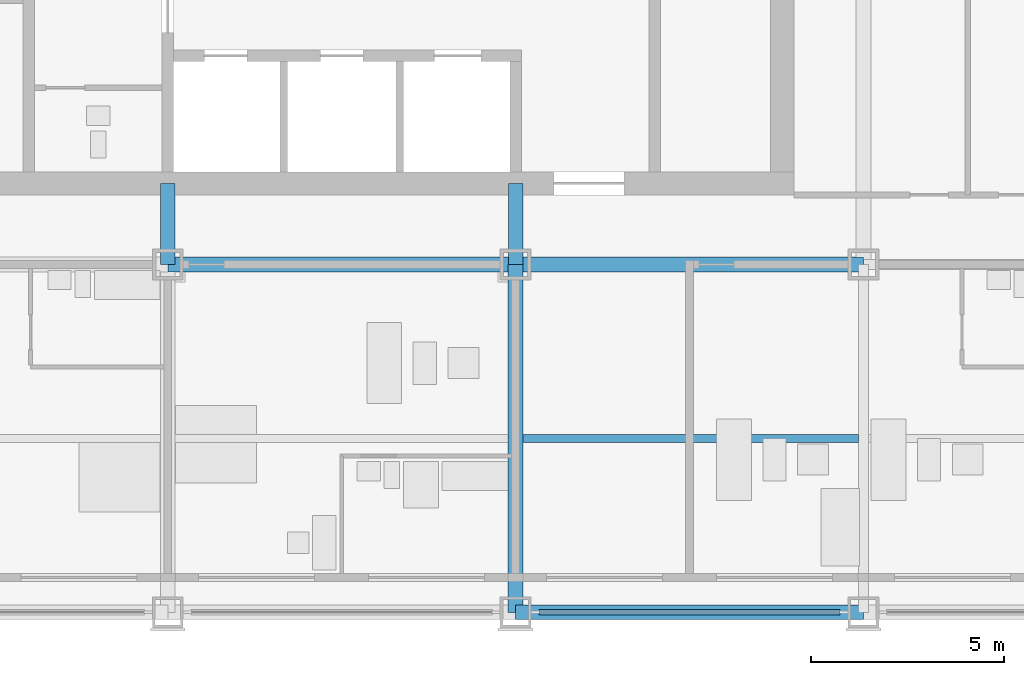
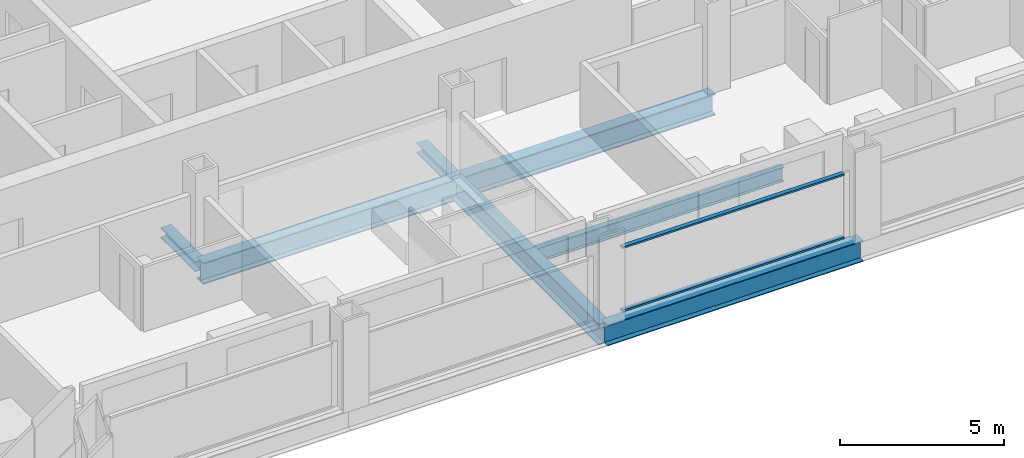
# One storey, part 3 of 18: 5 beams, 4 members, 1 element without a shape of its own.
"""IFC4 building model written with IfcOpenShell, lengths in metres."""

from ifc_helpers import new_model, si_unit, direction, frame, origin, origin_2d, place, context, subcontext, project, spatial, rectangle, i_section, extrude, material, material_profile, profile_set, type_object, element, aggregate, save


model = new_model("IFC4")

# Units and contexts
model_context = context("Model", 3, precision=1e-05, world=origin(), true_north=direction((0.0, 1.0)))
body_context = subcontext(model_context, "Body", "Model", "MODEL_VIEW")
ifc_project = project(units=[si_unit("LENGTHUNIT", "METRE"), si_unit("AREAUNIT", "SQUARE_METRE"), si_unit("VOLUMEUNIT", "CUBIC_METRE"), si_unit("PLANEANGLEUNIT", "RADIAN"), si_unit("MASSUNIT", "GRAM", prefix="KILO")], contexts=[model_context])

# Site, building, storey
site_placement = place(None, origin())
site = spatial("IfcSite", under=ifc_project, at=site_placement, CompositionType="ELEMENT")
building_placement = place(site_placement, origin())
building = spatial("IfcBuilding", under=site, at=building_placement, Name="Loomwork Tower", CompositionType="ELEMENT")
storey_placement = place(building_placement, frame((0.0, 0.0, 79.0)))
storey = spatial("IfcBuildingStorey", under=building, at=storey_placement, Name="L20", CompositionType="ELEMENT", Elevation=79.0)

# Beams
ifc_material_1 = material(Name="Steel ASTM A992", Category="steel")
ifc_material_profile_1 = material_profile(ifc_material_1, i_section(OverallWidth=0.383544921875, OverallDepth=0.794921875, WebThickness=0.02099609375, FlangeThickness=0.0380859375, at=origin_2d()), Name="W30x235")
ifc_profile_set_1 = profile_set([ifc_material_profile_1], Name="Steel ASTM A992")
beam_type_1 = type_object("IfcBeamType", Name="CORE FLANK GIRDER W30x235", PredefinedType="BEAM", material=ifc_profile_set_1)
for number, where, z_axis, x_axis, name in (
    (1, (18.0, 9.0, -0.597412109375), (1.0, 0.0, 0.0), (0.0, 1.0, 0.0), "Core Flank Girder E/4-E/5 L20"),
    (2, (27.0, 9.0, -0.597412109375), (1.0, 0.0, 0.0), (0.0, 1.0, 0.0), "Core Flank Girder E/5-E/6 L20"),
    (3, (27.0, 0.0, -0.597412109375), (0.0, 1.0, 0.0), (-1.0, 0.0, 0.0), "Core Flank Girder D/5-E/5 L20"),
):
    element("IfcBeam", number, at=place(storey_placement, frame(where, z_axis=z_axis, x_axis=x_axis)), inside=storey, type_object=beam_type_1, Name=name, PredefinedType="BEAM", context=body_context, shape_type="SweptSolid", body=[
        extrude(i_section(OverallWidth=0.383544921875, OverallDepth=0.794921875, WebThickness=0.02099609375, FlangeThickness=0.0380859375, at=origin_2d()), origin(), (0.0, 0.0, 1.0), 9.0),
    ])

# Members
ifc_material_2 = material(Name="Steel ASTM A992", Category="steel")
ifc_material_profile_2 = material_profile(ifc_material_2, i_section(OverallWidth=0.373291015625, OverallDepth=0.373291015625, WebThickness=0.016357421875, FlangeThickness=0.026123046875, at=origin_2d()), Name="W14x132")
ifc_profile_set_2 = profile_set([ifc_material_profile_2], Name="Steel ASTM A992")
member_type_1 = type_object("IfcMemberType", Name="CORE LINK STRUT W14x132", PredefinedType="STRUT", material=ifc_profile_set_2)
for number, where, z_axis, x_axis, name in (
    (4, (27.0, 9.0, -0.38671875), (0.0, 1.0, 0.0), (-1.0, 0.0, 0.0), "Core link strut E/5-27.000,11.100 L20"),
    (5, (18.0, 9.0, -0.38671875), (0.0, 1.0, 0.0), (-1.0, 0.0, 0.0), "Core link strut E/4-18.000,11.100 L20"),
):
    element("IfcMember", number, at=place(storey_placement, frame(where, z_axis=z_axis, x_axis=x_axis)), inside=storey, type_object=member_type_1, Name=name, PredefinedType="STRUT", context=body_context, shape_type="SweptSolid", body=[
        extrude(i_section(OverallWidth=0.373291015625, OverallDepth=0.373291015625, WebThickness=0.016357421875, FlangeThickness=0.026123046875, at=origin_2d()), origin(), (0.0, 0.0, 1.0), 2.10009765625),
    ])

# Beam
ifc_material_3 = material(Name="Steel ASTM A992", Category="steel")
ifc_material_profile_3 = material_profile(ifc_material_3, i_section(OverallWidth=0.2109375, OverallDepth=0.53857421875, WebThickness=0.011474609375, FlangeThickness=0.018798828125, at=origin_2d()), Name="W21x73")
ifc_profile_set_3 = profile_set([ifc_material_profile_3], Name="Steel ASTM A992")
beam_type_2 = type_object("IfcBeamType", Name="FLOOR JOIST W21x73", PredefinedType="JOIST", material=ifc_profile_set_3)
beam_1_placement = place(storey_placement, frame((27.19091796875, 4.5, -0.46923828125), z_axis=(1.0, 0.0, 0.0), x_axis=(0.0, 1.0, 0.0)))
element("IfcBeam", 6, at=beam_1_placement, inside=storey, type_object=beam_type_2, Name="Floor Joist 27.000,4.500-36.000,4.500 L20", PredefinedType="JOIST", context=body_context, shape_type="SweptSolid", body=[
    extrude(i_section(OverallWidth=0.2109375, OverallDepth=0.53857421875, WebThickness=0.011474609375, FlangeThickness=0.018798828125, at=origin_2d()), origin(), (0.0, 0.0, 1.0), 8.676025390625),
])

# Curtain wall, members
ifc_material_4 = material(Name="Aluminium curtain wall frame", Category="aluminium")
curtain_wall_type = type_object("IfcCurtainWallType", Name="Outer skin glazing hotel", PredefinedType="NOTDEFINED", material=ifc_material_4)
curtain_wall_placement = place(storey_placement, origin())
curtain_wall = element("IfcCurtainWall", 7, at=curtain_wall_placement, inside=storey, type_object=curtain_wall_type, Name="Outer skin glazing hotel cw/S-27", PredefinedType="NOTDEFINED")
ifc_material_5 = material(Name="Aluminium curtain wall frame", Category="aluminium")
ifc_material_profile_4 = material_profile(ifc_material_5, rectangle(XDim=0.14990234375, YDim=0.06494140625, at=origin_2d()), Name="AL 65x150")
ifc_profile_set_4 = profile_set([ifc_material_profile_4], Name="Aluminium curtain wall frame")
member_type_2 = type_object("IfcMemberType", Name="Outer skin glazing hotel transom", PredefinedType="USERDEFINED", material=ifc_profile_set_4)
member_1_placement = place(storey_placement, frame((27.60009765625, 0.0, 0.032470703125), z_axis=(1.0, 0.0, 0.0), x_axis=(0.0, 1.0, 0.0)))
member_1 = element("IfcMember", 8, at=member_1_placement, type_object=member_type_2, Name="CW1 transom 1.1", ObjectType="TRANSOM", PredefinedType="USERDEFINED", context=body_context, shape_type="SweptSolid", body=[
    extrude(rectangle(XDim=0.14990234375, YDim=0.06494140625, at=origin_2d()), origin(), (0.0, 0.0, 1.0), 7.7998046875),
])
member_2_placement = place(storey_placement, frame((27.60009765625, 0.0, 2.3876953125), z_axis=(1.0, 0.0, 0.0), x_axis=(0.0, 1.0, 0.0)))
member_2 = element("IfcMember", 9, at=member_2_placement, type_object=member_type_2, Name="CW1 transom 1.2", ObjectType="TRANSOM", PredefinedType="USERDEFINED", context=body_context, shape_type="SweptSolid", body=[
    extrude(rectangle(XDim=0.14990234375, YDim=0.06494140625, at=origin_2d()), origin(), (0.0, 0.0, 1.0), 7.7998046875),
])
aggregate(curtain_wall, [member_1, member_2])

# Beam
ifc_material_6 = material(Name="Steel ASTM A992", Category="steel")
ifc_material_profile_5 = material_profile(ifc_material_6, i_section(OverallWidth=0.381103515625, OverallDepth=0.77978515625, WebThickness=0.01806640625, FlangeThickness=0.0302734375, at=origin_2d()), Name="W30x191")
ifc_profile_set_5 = profile_set([ifc_material_profile_5], Name="Steel ASTM A992")
beam_type_3 = type_object("IfcBeamType", Name="SPANDREL GIRDER W30x191", PredefinedType="SPANDREL", material=ifc_profile_set_5)
beam_2_placement = place(storey_placement, frame((27.0, 0.0, -0.58984375), z_axis=(1.0, 0.0, 0.0), x_axis=(0.0, 1.0, 0.0)))
element("IfcBeam", 10, at=beam_2_placement, inside=storey, type_object=beam_type_3, Name="Spandrel Girder D/5-D/6 L20", PredefinedType="SPANDREL", context=body_context, shape_type="SweptSolid", body=[
    extrude(i_section(OverallWidth=0.381103515625, OverallDepth=0.77978515625, WebThickness=0.01806640625, FlangeThickness=0.0302734375, at=origin_2d()), origin(), (0.0, 0.0, 1.0), 9.0),
])

save(model, "model.ifc")
